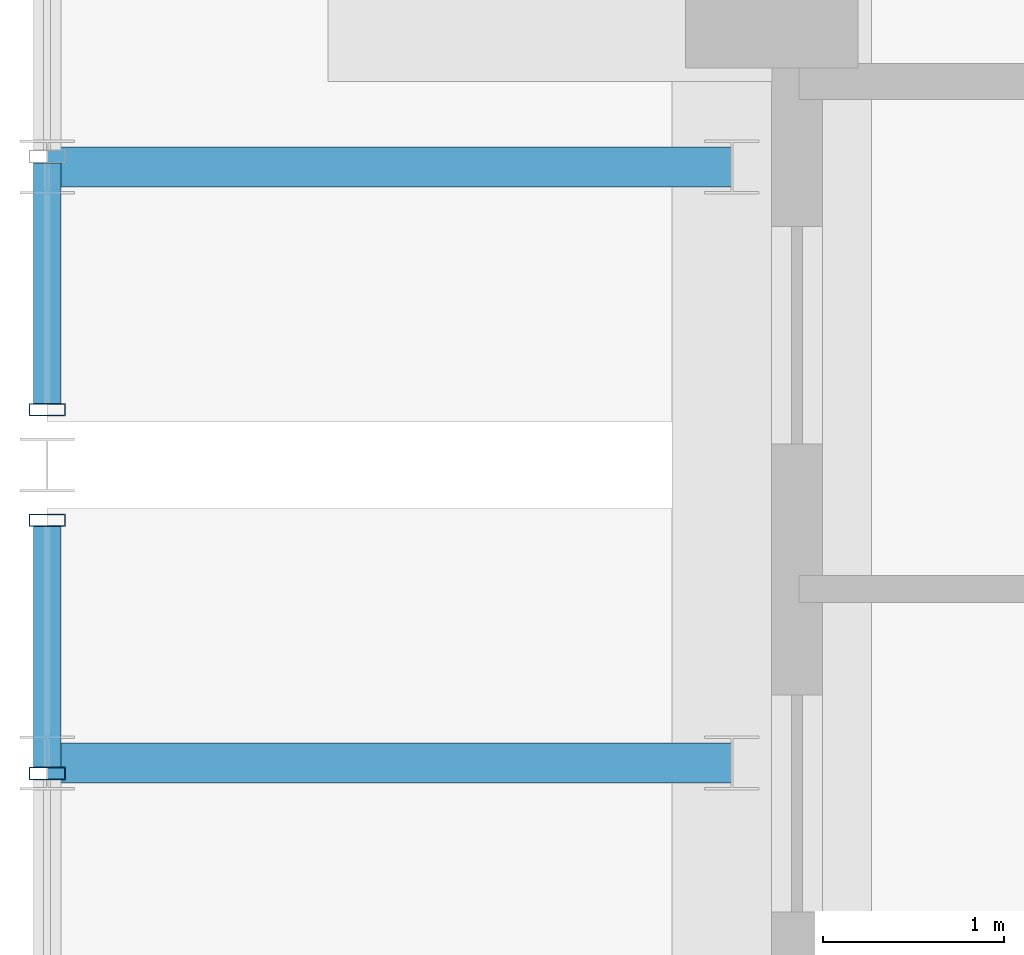
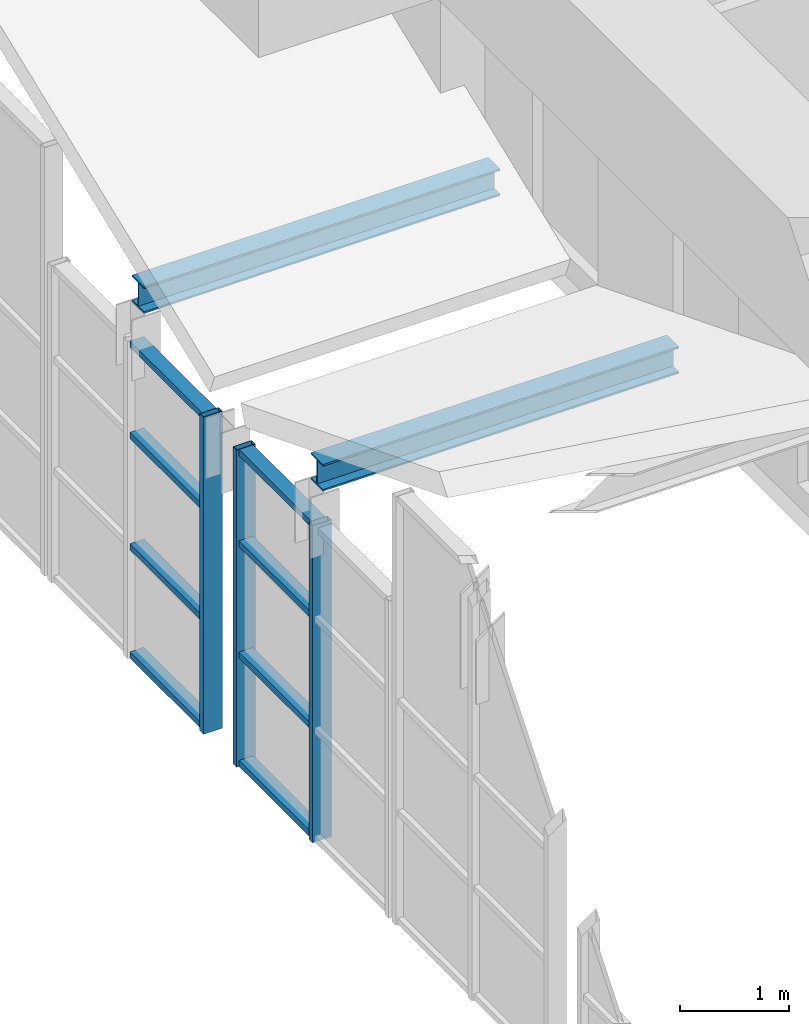
# One storey, part 10 of 45: 13 members, 2 elements without a shape of their own.
"""IFC4 building model written with IfcOpenShell, lengths in metres."""

from ifc_helpers import new_model, si_unit, direction, frame, origin, origin_2d, place, context, subcontext, project, spatial, hollow_rectangle, i_section, extrude, source, transform, mapped, material, layer, layer_set, material_profile, profile_set, type_object, element, aggregate, save


model = new_model("IFC4")

# Units and contexts
model_context = context("Model", 3, precision=1e-05, world=origin(), true_north=direction((0.0, 1.0)))
body_context = subcontext(model_context, "Body", "Model", "MODEL_VIEW")
ifc_project = project(units=[si_unit("LENGTHUNIT", "METRE"), si_unit("AREAUNIT", "SQUARE_METRE"), si_unit("VOLUMEUNIT", "CUBIC_METRE"), si_unit("PLANEANGLEUNIT", "RADIAN"), si_unit("MASSUNIT", "GRAM", prefix="KILO")], contexts=[model_context])

# Site, building, storey
site_placement = place(None, origin())
site = spatial("IfcSite", under=ifc_project, at=site_placement, CompositionType="ELEMENT")
building_placement = place(site_placement, origin())
building = spatial("IfcBuilding", under=site, at=building_placement, Name="Saelheon Loggia Tower", CompositionType="ELEMENT")
storey_placement = place(building_placement, frame((0.0, 0.0, 152.199951171875)))
storey = spatial("IfcBuildingStorey", under=building, at=storey_placement, Name="L48", CompositionType="ELEMENT", Elevation=152.199951171875)

# Members
ifc_material_1 = material(Name="Steel SM355", Category="steel")
ifc_material_profile_1 = material_profile(ifc_material_1, i_section(OverallWidth=0.219970703125, OverallDepth=0.300048828125, WebThickness=0.011962890625, FlangeThickness=0.02001953125, at=origin_2d()), Name="H-300x220x12x20")
ifc_profile_set_1 = profile_set([ifc_material_profile_1], Name="Steel SM355")
member_type_1 = type_object("IfcMemberType", Name="Roof_ShoulderPurlin_RHS300", PredefinedType="PURLIN", material=ifc_profile_set_1)
shared_shape_1 = source(origin(), body_context, "Body", "SweptSolid", [
    extrude(i_section(OverallWidth=0.219970703125, OverallDepth=0.300048828125, WebThickness=0.011962890625, FlangeThickness=0.02001953125, at=origin_2d()), origin(), (0.0, 0.0, 1.0), 3.780029296875),
])
for number, where, z_axis, x_axis, name in (
    (1, (12.0, 31.6884765625, 0.6220703125), (1.0, 0.0, 0.0), (0.0, 1.0, 0.0), "Tier 1 Wave Crest Rafter W 04 B"),
    (2, (12.0, 34.97802734375, 0.6220703125), (1.0, 0.0, 0.0), (0.0, 1.0, 0.0), "Tier 1 Wave Crest Rafter W 05 A"),
):
    element("IfcMember", number, at=place(storey_placement, frame(where, z_axis=z_axis, x_axis=x_axis)), inside=storey, type_object=member_type_1, Name=name, PredefinedType="PURLIN", context=body_context, shape_type="MappedRepresentation", body=[
        mapped(shared_shape_1, transform((0.0, 0.0, 0.0), scale=1.0)),
    ])

# Curtain wall, members
ifc_material_2 = material(Name="Bronze-Anodised Aluminium and Fritted Ceramic Screen", Category="aluminium")
ifc_layer = layer(ifc_material_2, 0.219970703125)
ifc_layer_set = layer_set([ifc_layer], Name="Bronze-Anodised Aluminium and Fritted Ceramic Screen")
curtain_wall_type = type_object("IfcCurtainWallType", Name="CW_CrownScreen", PredefinedType="NOTDEFINED", material=ifc_layer_set)
curtain_wall_1_placement = place(storey_placement, origin())
curtain_wall_1 = element("IfcCurtainWall", 3, at=curtain_wall_1_placement, inside=storey, type_object=curtain_wall_type, Name="Tier 1 Wave Crest Glazing W 04-2", PredefinedType="NOTDEFINED")
ifc_material_3 = material(Name="Bronze-Anodised Aluminium 6063-T6", Category="aluminium")
ifc_material_profile_2 = material_profile(ifc_material_3, hollow_rectangle(XDim=0.070068359375, YDim=0.199951171875, WallThickness=0.0048828125, at=origin_2d()), Name="RHS-200x70x5")
ifc_profile_set_2 = profile_set([ifc_material_profile_2], Name="Bronze-Anodised Aluminium 6063-T6")
member_type_2 = type_object("IfcMemberType", Name="CW_CrownScreen_Mullion", PredefinedType="MULLION", material=ifc_profile_set_2)
shared_shape_2 = source(origin(), body_context, "Body", "SweptSolid", [
    extrude(hollow_rectangle(XDim=0.070068359375, YDim=0.199951171875, WallThickness=0.0048828125, at=origin_2d()), origin(), (0.0, 0.0, 1.0), 3.56005859375),
])
member_1_placement = place(storey_placement, frame((12.0, 31.6298828125, -3.449951171875), z_axis=(0.0, 0.0, 1.0), x_axis=(0.0, 1.0, 0.0)))
member_1 = element("IfcMember", 4, at=member_1_placement, type_object=member_type_2, Name="CW6 mullion 2", PredefinedType="MULLION", context=body_context, shape_type="MappedRepresentation", body=[
    mapped(shared_shape_2, transform((0.0, 0.0, 0.0), scale=1.0)),
])
member_2_placement = place(storey_placement, frame((12.0, 33.0283203125, -3.449951171875), z_axis=(0.0, 0.0, 1.0), x_axis=(0.0, 1.0, 0.0)))
member_2 = element("IfcMember", 5, at=member_2_placement, type_object=member_type_2, Name="CW6 mullion 3", PredefinedType="MULLION", context=body_context, shape_type="MappedRepresentation", body=[
    mapped(shared_shape_2, transform((0.0, 0.0, 0.0), scale=1.0)),
])

# Curtain wall, member
curtain_wall_2_placement = place(storey_placement, origin())
curtain_wall_2 = element("IfcCurtainWall", 6, at=curtain_wall_2_placement, inside=storey, type_object=curtain_wall_type, Name="Tier 1 Wave Crest Glazing W 05-1", PredefinedType="NOTDEFINED")
member_3_placement = place(storey_placement, frame((12.0, 33.63818359375, -3.449951171875), z_axis=(0.0, 0.0, 1.0), x_axis=(0.0, 1.0, 0.0)))
member_3 = element("IfcMember", 7, at=member_3_placement, type_object=member_type_2, Name="CW6 mullion 1", PredefinedType="MULLION", context=body_context, shape_type="MappedRepresentation", body=[
    mapped(shared_shape_2, transform((0.0, 0.0, 0.0), scale=1.0)),
])

# Member
ifc_material_profile_3 = material_profile(ifc_material_3, hollow_rectangle(XDim=0.070068359375, YDim=0.14990234375, WallThickness=0.0048828125, at=origin_2d()), Name="RHS-150x70x5")
ifc_profile_set_3 = profile_set([ifc_material_profile_3], Name="Bronze-Anodised Aluminium 6063-T6")
member_type_3 = type_object("IfcMemberType", Name="CW_CrownScreen_Transom", PredefinedType="USERDEFINED", material=ifc_profile_set_3)
shared_shape_3 = source(origin(), body_context, "Body", "SweptSolid", [
    extrude(hollow_rectangle(XDim=0.070068359375, YDim=0.14990234375, WallThickness=0.0048828125, at=origin_2d()), origin(), (0.0, 0.0, 1.0), 1.328369140625),
])
member_4_placement = place(storey_placement, frame((12.0, 31.6650390625, -3.4150390625), z_axis=(0.0, 1.0, 0.0), x_axis=(0.0, 0.0, 1.0)))
member_4 = element("IfcMember", 8, at=member_4_placement, type_object=member_type_3, Name="CW6 transom 2.1", ObjectType="TRANSOM", PredefinedType="USERDEFINED", context=body_context, shape_type="MappedRepresentation", body=[
    mapped(shared_shape_3, transform((0.0, 0.0, 0.0), scale=1.0)),
])

member_5_placement = place(storey_placement, frame((12.0, 31.6650390625, -2.199951171875), z_axis=(0.0, 1.0, 0.0), x_axis=(0.0, 0.0, 1.0)))
member_5 = element("IfcMember", 9, at=member_5_placement, type_object=member_type_3, Name="CW6 transom 2.2", ObjectType="TRANSOM", PredefinedType="USERDEFINED", context=body_context, shape_type="MappedRepresentation", body=[
    mapped(shared_shape_3, transform((0.0, 0.0, 0.0), scale=1.0)),
])

member_6_placement = place(storey_placement, frame((12.0, 31.6650390625, -0.949951171875), z_axis=(0.0, 1.0, 0.0), x_axis=(0.0, 0.0, 1.0)))
member_6 = element("IfcMember", 10, at=member_6_placement, type_object=member_type_3, Name="CW6 transom 2.3", ObjectType="TRANSOM", PredefinedType="USERDEFINED", context=body_context, shape_type="MappedRepresentation", body=[
    mapped(shared_shape_3, transform((0.0, 0.0, 0.0), scale=1.0)),
])

member_7_placement = place(storey_placement, frame((12.0, 31.6650390625, 0.074951171875), z_axis=(0.0, 1.0, 0.0), x_axis=(0.0, 0.0, 1.0)))
member_7 = element("IfcMember", 11, at=member_7_placement, type_object=member_type_3, Name="CW6 transom 2.4", ObjectType="TRANSOM", PredefinedType="USERDEFINED", context=body_context, shape_type="MappedRepresentation", body=[
    mapped(shared_shape_3, transform((0.0, 0.0, 0.0), scale=1.0)),
])

aggregate(curtain_wall_1, [member_1, member_2, member_4, member_5, member_6, member_7])

member_8_placement = place(storey_placement, frame((12.0, 33.67333984375, -3.4150390625), z_axis=(0.0, 1.0, 0.0), x_axis=(0.0, 0.0, 1.0)))
member_8 = element("IfcMember", 12, at=member_8_placement, type_object=member_type_3, Name="CW6 transom 1.1", ObjectType="TRANSOM", PredefinedType="USERDEFINED", context=body_context, shape_type="MappedRepresentation", body=[
    mapped(shared_shape_3, transform((0.0, 0.0, 0.0), scale=1.0)),
])

member_9_placement = place(storey_placement, frame((12.0, 33.67333984375, -2.199951171875), z_axis=(0.0, 1.0, 0.0), x_axis=(0.0, 0.0, 1.0)))
member_9 = element("IfcMember", 13, at=member_9_placement, type_object=member_type_3, Name="CW6 transom 1.2", ObjectType="TRANSOM", PredefinedType="USERDEFINED", context=body_context, shape_type="MappedRepresentation", body=[
    mapped(shared_shape_3, transform((0.0, 0.0, 0.0), scale=1.0)),
])

member_10_placement = place(storey_placement, frame((12.0, 33.67333984375, -0.949951171875), z_axis=(0.0, 1.0, 0.0), x_axis=(0.0, 0.0, 1.0)))
member_10 = element("IfcMember", 14, at=member_10_placement, type_object=member_type_3, Name="CW6 transom 1.3", ObjectType="TRANSOM", PredefinedType="USERDEFINED", context=body_context, shape_type="MappedRepresentation", body=[
    mapped(shared_shape_3, transform((0.0, 0.0, 0.0), scale=1.0)),
])

member_11_placement = place(storey_placement, frame((12.0, 33.67333984375, 0.074951171875), z_axis=(0.0, 1.0, 0.0), x_axis=(0.0, 0.0, 1.0)))
member_11 = element("IfcMember", 15, at=member_11_placement, type_object=member_type_3, Name="CW6 transom 1.4", ObjectType="TRANSOM", PredefinedType="USERDEFINED", context=body_context, shape_type="MappedRepresentation", body=[
    mapped(shared_shape_3, transform((0.0, 0.0, 0.0), scale=1.0)),
])

aggregate(curtain_wall_2, [member_3, member_8, member_9, member_10, member_11])

save(model, "model.ifc")
